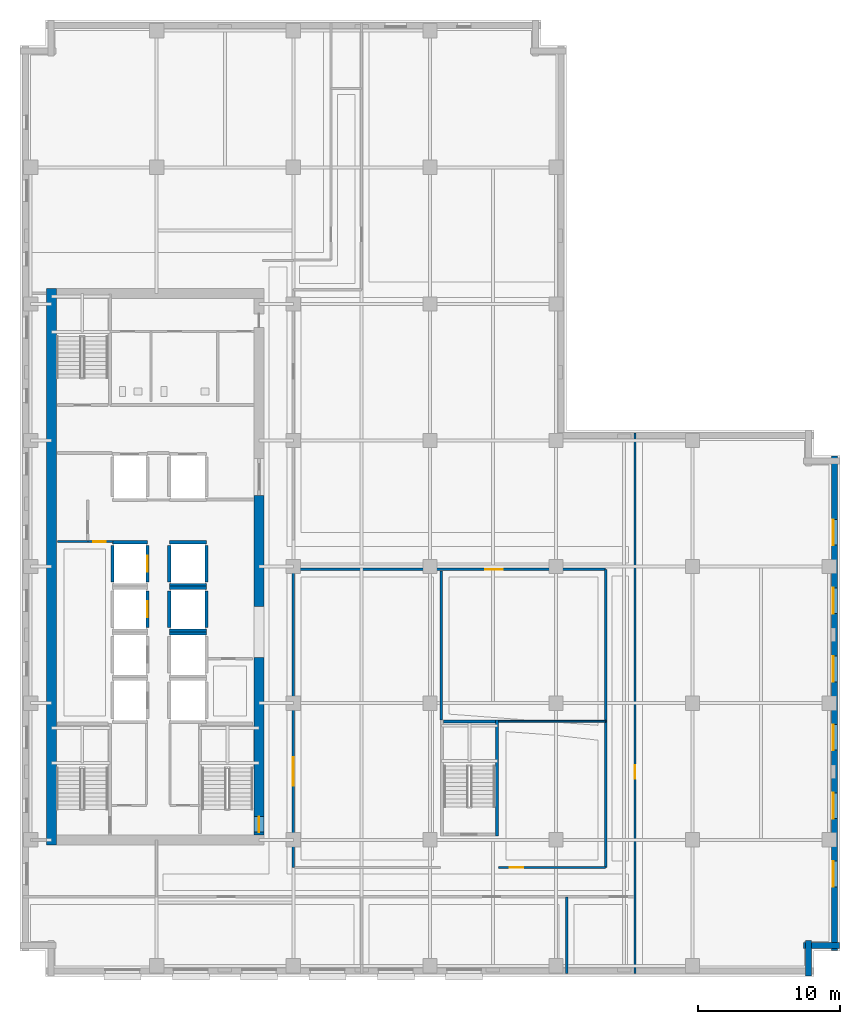
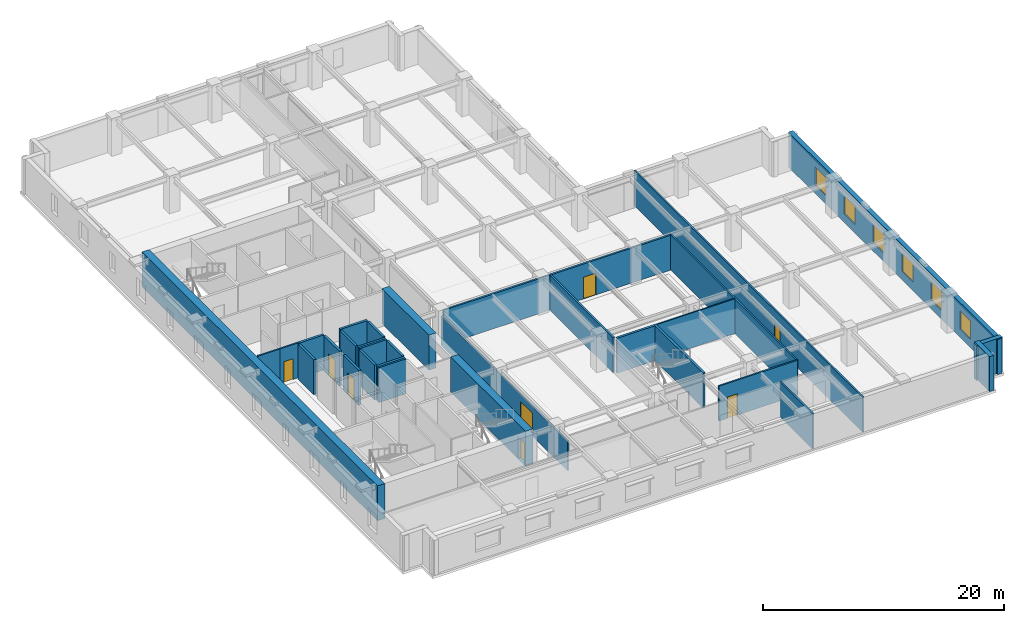
# One storey, part 5 of 12: 31 walls, 8 doors, 6 windows, 14 openings.
"""IFC4 building model written with IfcOpenShell, lengths in metres."""

from ifc_helpers import new_model, si_unit, direction, frame, frame_2d, origin, place, context, subcontext, project, spatial, rectangle, extrude, material, layer, layer_set, type_object, element, fill, save


model = new_model("IFC4")

# Units and contexts
model_context = context("Model", 3, precision=1e-05, world=origin(), true_north=direction((0.0, 1.0)))
body_context = subcontext(model_context, "Body", "Model", "MODEL_VIEW")
ifc_project = project(units=[si_unit("LENGTHUNIT", "METRE"), si_unit("AREAUNIT", "SQUARE_METRE"), si_unit("VOLUMEUNIT", "CUBIC_METRE"), si_unit("PLANEANGLEUNIT", "RADIAN"), si_unit("MASSUNIT", "GRAM", prefix="KILO")], contexts=[model_context])

# Site, building, storey
site_placement = place(None, origin())
site = spatial("IfcSite", under=ifc_project, at=site_placement, CompositionType="ELEMENT")
building_placement = place(site_placement, origin())
building = spatial("IfcBuilding", under=site, at=building_placement, Name="Norrvale University Quadrangle", CompositionType="ELEMENT")
storey_placement = place(building_placement, frame((0.0, 0.0, 135.60009765625)))
storey = spatial("IfcBuildingStorey", under=building, at=storey_placement, Name="L34", CompositionType="ELEMENT", Elevation=135.60009765625)

# Walls
ifc_material_1 = material(Name="Buff Norman Clay Brick Masonry", Category="masonry")
ifc_layer_1 = layer(ifc_material_1, 0.419921875, Name="Buff Norman Clay Brick Masonry")
ifc_layer_set_1 = layer_set([ifc_layer_1], Name="Buff Norman Clay Brick Masonry")
wall_type_1 = type_object("IfcWallType", Name="Wall Buff Brick 420", PredefinedType="SOLIDWALL", material=ifc_layer_set_1)
for number, where, z_axis, x_axis, name in (
    (1, (55.409912109375, 0.0400390625, 0.0), (0.0, 0.0, 1.0), (0.0, 1.0, 0.0), "Exterior Brick Facade Wall L34-02.1"),
    (2, (55.06005859375, 2.18994140625, 0.0), (0.0, 0.0, 1.0), (1.0, 0.0, 0.0), "Exterior Brick Facade Wall L34-03.1"),
):
    element("IfcWall", number, at=place(storey_placement, frame(where, z_axis=z_axis, x_axis=x_axis)), inside=storey, type_object=wall_type_1, Name=name, PredefinedType="SOLIDWALL", context=body_context, shape_type="SweptSolid", body=[
        extrude(rectangle(XDim=2.5, YDim=0.419921875, at=frame_2d((1.25, 0.0))), origin(), (0.0, 0.0, 1.0), 3.539794921875),
    ])

# Wall, openings, windows
wall_1_placement = place(storey_placement, frame((57.2099609375, 1.840087890625, 0.0), z_axis=(0.0, 0.0, 1.0), x_axis=(0.0, 1.0, 0.0)))
wall_1 = element("IfcWall", 3, at=wall_1_placement, inside=storey, type_object=wall_type_1, Name="Exterior Brick Facade Wall L34-04.1", PredefinedType="SOLIDWALL", context=body_context, shape_type="SweptSolid", body=[
    extrude(rectangle(XDim=34.719970703125, YDim=0.419921875, at=frame_2d((17.35986328125, 0.0))), origin(), (0.0, 0.0, 1.0), 3.539794921875),
])
opening_1_placement = place(wall_1_placement, frame((4.4599609375, 0.0, 0.85009765625)))
opening_1 = element("IfcOpeningElement", 4, at=opening_1_placement, cuts=wall_1, Name="Opening W01", PredefinedType="OPENING", context=body_context, shape_type="SweptSolid", body=[
    extrude(rectangle(XDim=1.800048828125, YDim=1.85009765625, at=frame_2d((0.89990234375, 0.925048828125))), frame((0.0, 0.221923828125, 0.0), z_axis=(0.0, -1.0, 0.0), x_axis=(1.0, 0.0, 0.0)), (0.0, 0.0, 1.0), 0.44384765625),
])
opening_2_placement = place(wall_1_placement, frame((9.260009765625, 0.0, 0.85009765625)))
opening_2 = element("IfcOpeningElement", 5, at=opening_2_placement, cuts=wall_1, Name="Opening W01", PredefinedType="OPENING", context=body_context, shape_type="SweptSolid", body=[
    extrude(rectangle(XDim=1.800048828125, YDim=1.85009765625, at=frame_2d((0.89990234375, 0.925048828125))), frame((0.0, 0.221923828125, 0.0), z_axis=(0.0, -1.0, 0.0), x_axis=(1.0, 0.0, 0.0)), (0.0, 0.0, 1.0), 0.44384765625),
])
opening_3_placement = place(wall_1_placement, frame((14.06005859375, 0.0, 0.85009765625)))
opening_3 = element("IfcOpeningElement", 6, at=opening_3_placement, cuts=wall_1, Name="Opening W01", PredefinedType="OPENING", context=body_context, shape_type="SweptSolid", body=[
    extrude(rectangle(XDim=1.800048828125, YDim=1.85009765625, at=frame_2d((0.89990234375, 0.925048828125))), frame((0.0, 0.221923828125, 0.0), z_axis=(0.0, -1.0, 0.0), x_axis=(1.0, 0.0, 0.0)), (0.0, 0.0, 1.0), 0.44384765625),
])
opening_4_placement = place(wall_1_placement, frame((18.860107421875, 0.0, 0.85009765625)))
opening_4 = element("IfcOpeningElement", 7, at=opening_4_placement, cuts=wall_1, Name="Opening W01", PredefinedType="OPENING", context=body_context, shape_type="SweptSolid", body=[
    extrude(rectangle(XDim=1.800048828125, YDim=1.85009765625, at=frame_2d((0.89990234375, 0.925048828125))), frame((0.0, 0.221923828125, 0.0), z_axis=(0.0, -1.0, 0.0), x_axis=(1.0, 0.0, 0.0)), (0.0, 0.0, 1.0), 0.44384765625),
])
opening_5_placement = place(wall_1_placement, frame((23.659912109375, 0.0, 0.85009765625)))
opening_5 = element("IfcOpeningElement", 8, at=opening_5_placement, cuts=wall_1, Name="Opening W01", PredefinedType="OPENING", context=body_context, shape_type="SweptSolid", body=[
    extrude(rectangle(XDim=1.800048828125, YDim=1.85009765625, at=frame_2d((0.89990234375, 0.925048828125))), frame((0.0, 0.221923828125, 0.0), z_axis=(0.0, -1.0, 0.0), x_axis=(1.0, 0.0, 0.0)), (0.0, 0.0, 1.0), 0.44384765625),
])
opening_6_placement = place(wall_1_placement, frame((28.4599609375, 0.0, 0.85009765625)))
opening_6 = element("IfcOpeningElement", 9, at=opening_6_placement, cuts=wall_1, Name="Opening W01", PredefinedType="OPENING", context=body_context, shape_type="SweptSolid", body=[
    extrude(rectangle(XDim=1.800048828125, YDim=1.85009765625, at=frame_2d((0.89990234375, 0.925048828125))), frame((0.0, 0.221923828125, 0.0), z_axis=(0.0, -1.0, 0.0), x_axis=(1.0, 0.0, 0.0)), (0.0, 0.0, 1.0), 0.44384765625),
])
ifc_material_2 = material(Name="Triple Low-E Argon Glazing", Category="glass")
window_type = type_object("IfcWindowType", Name="Window Academic 1800x2300", PartitioningType="DOUBLE_PANEL_VERTICAL", PredefinedType="WINDOW", material=ifc_material_2)
window_1_placement = place(opening_1_placement, origin())
window_1 = element("IfcWindow", 10, at=window_1_placement, inside=storey, type_object=window_type, Name="Window Academic 1800x2300 WIN-L34-E04-1-01", OverallHeight=1.85009765625, OverallWidth=1.800048828125, PartitioningType="DOUBLE_PANEL_VERTICAL", PredefinedType="WINDOW", context=body_context, shape_type="SweptSolid", body=[
    extrude(rectangle(XDim=1.800048828125, YDim=1.85009765625, at=frame_2d((0.89990234375, 0.925048828125))), frame((0.0, 0.110107421875, 0.0), z_axis=(0.0, -1.0, 0.0), x_axis=(1.0, 0.0, 0.0)), (0.0, 0.0, 1.0), 0.06005859375),
])
fill(opening_1, window_1)
window_2_placement = place(opening_2_placement, origin())
window_2 = element("IfcWindow", 11, at=window_2_placement, inside=storey, type_object=window_type, Name="Window Academic 1800x2300 WIN-L34-E04-1-02", OverallHeight=1.85009765625, OverallWidth=1.800048828125, PartitioningType="DOUBLE_PANEL_VERTICAL", PredefinedType="WINDOW", context=body_context, shape_type="SweptSolid", body=[
    extrude(rectangle(XDim=1.800048828125, YDim=1.85009765625, at=frame_2d((0.89990234375, 0.925048828125))), frame((0.0, 0.110107421875, 0.0), z_axis=(0.0, -1.0, 0.0), x_axis=(1.0, 0.0, 0.0)), (0.0, 0.0, 1.0), 0.06005859375),
])
fill(opening_2, window_2)
window_3_placement = place(opening_3_placement, origin())
window_3 = element("IfcWindow", 12, at=window_3_placement, inside=storey, type_object=window_type, Name="Window Academic 1800x2300 WIN-L34-E04-1-03", OverallHeight=1.85009765625, OverallWidth=1.800048828125, PartitioningType="DOUBLE_PANEL_VERTICAL", PredefinedType="WINDOW", context=body_context, shape_type="SweptSolid", body=[
    extrude(rectangle(XDim=1.800048828125, YDim=1.85009765625, at=frame_2d((0.89990234375, 0.925048828125))), frame((0.0, 0.110107421875, 0.0), z_axis=(0.0, -1.0, 0.0), x_axis=(1.0, 0.0, 0.0)), (0.0, 0.0, 1.0), 0.06005859375),
])
fill(opening_3, window_3)
window_4_placement = place(opening_4_placement, origin())
window_4 = element("IfcWindow", 13, at=window_4_placement, inside=storey, type_object=window_type, Name="Window Academic 1800x2300 WIN-L34-E04-1-04", OverallHeight=1.85009765625, OverallWidth=1.800048828125, PartitioningType="DOUBLE_PANEL_VERTICAL", PredefinedType="WINDOW", context=body_context, shape_type="SweptSolid", body=[
    extrude(rectangle(XDim=1.800048828125, YDim=1.85009765625, at=frame_2d((0.89990234375, 0.925048828125))), frame((0.0, 0.110107421875, 0.0), z_axis=(0.0, -1.0, 0.0), x_axis=(1.0, 0.0, 0.0)), (0.0, 0.0, 1.0), 0.06005859375),
])
fill(opening_4, window_4)
window_5_placement = place(opening_5_placement, origin())
window_5 = element("IfcWindow", 14, at=window_5_placement, inside=storey, type_object=window_type, Name="Window Academic 1800x2300 WIN-L34-E04-1-05", OverallHeight=1.85009765625, OverallWidth=1.800048828125, PartitioningType="DOUBLE_PANEL_VERTICAL", PredefinedType="WINDOW", context=body_context, shape_type="SweptSolid", body=[
    extrude(rectangle(XDim=1.800048828125, YDim=1.85009765625, at=frame_2d((0.89990234375, 0.925048828125))), frame((0.0, 0.110107421875, 0.0), z_axis=(0.0, -1.0, 0.0), x_axis=(1.0, 0.0, 0.0)), (0.0, 0.0, 1.0), 0.06005859375),
])
fill(opening_5, window_5)
window_6_placement = place(opening_6_placement, origin())
window_6 = element("IfcWindow", 15, at=window_6_placement, inside=storey, type_object=window_type, Name="Window Academic 1800x2300 WIN-L34-E04-1-06", OverallHeight=1.85009765625, OverallWidth=1.800048828125, PartitioningType="DOUBLE_PANEL_VERTICAL", PredefinedType="WINDOW", context=body_context, shape_type="SweptSolid", body=[
    extrude(rectangle(XDim=1.800048828125, YDim=1.85009765625, at=frame_2d((0.89990234375, 0.925048828125))), frame((0.0, 0.110107421875, 0.0), z_axis=(0.0, -1.0, 0.0), x_axis=(1.0, 0.0, 0.0)), (0.0, 0.0, 1.0), 0.06005859375),
])
fill(opening_6, window_6)

# Wall
ifc_material_3 = material(Name="Concrete C60/75", Category="concrete")
ifc_layer_2 = layer(ifc_material_3, 0.699951171875, Name="Concrete C60/75")
ifc_layer_set_2 = layer_set([ifc_layer_2], Name="Concrete C60/75")
wall_type_2 = type_object("IfcWallType", Name="Wall Core 700", PredefinedType="SHEAR", material=ifc_layer_set_2)
wall_2_placement = place(storey_placement, frame((2.199951171875, 9.25, 0.0), z_axis=(0.0, 0.0, 1.0), x_axis=(0.0, 1.0, 0.0)))
element("IfcWall", 16, at=wall_2_placement, inside=storey, type_object=wall_type_2, Name="Tower Core Shear Wall L34-W", PredefinedType="SHEAR", context=body_context, shape_type="SweptSolid", body=[
    extrude(rectangle(XDim=39.10009765625, YDim=0.699951171875, at=frame_2d((19.550048828125, 0.0))), origin(), (0.0, 0.0, 1.0), 3.539794921875),
])

# Wall, opening, door
wall_3_placement = place(storey_placement, frame((16.800048828125, 9.949951171875, 0.0), z_axis=(0.0, 0.0, 1.0), x_axis=(0.0, 1.0, 0.0)))
wall_3 = element("IfcWall", 17, at=wall_3_placement, inside=storey, type_object=wall_type_2, Name="Tower Core Shear Wall L34-E1", PredefinedType="SHEAR", context=body_context, shape_type="SweptSolid", body=[
    extrude(rectangle(XDim=12.449951171875, YDim=0.699951171875, at=frame_2d((6.22509765625, 0.0))), origin(), (0.0, 0.0, 1.0), 3.539794921875),
])
opening_7_placement = place(wall_3_placement, frame((0.18994140625, 0.0, 0.0)))
opening_7 = element("IfcOpeningElement", 18, at=opening_7_placement, cuts=wall_3, Name="Opening D02", PredefinedType="OPENING", context=body_context, shape_type="SweptSolid", body=[
    extrude(rectangle(XDim=1.10009765625, YDim=2.199951171875, at=frame_2d((0.550048828125, 1.10009765625))), frame((0.0, 0.362060546875, 0.0), z_axis=(0.0, -1.0, 0.0), x_axis=(1.0, 0.0, 0.0)), (0.0, 0.0, 1.0), 0.723876953125),
])
ifc_material_4 = material(Name="Hollow Steel 350W Fire Door", Category="steel")
door_type_1 = type_object("IfcDoorType", Name="Door Stair Exit 1100x2200", OperationType="NOTDEFINED", PredefinedType="DOOR", material=ifc_material_4)
door_1_placement = place(opening_7_placement, origin())
door_1 = element("IfcDoor", 19, at=door_1_placement, inside=storey, type_object=door_type_1, Name="Door Stair Exit 1100x2200 DR-L34-ST03", OperationType="SINGLE_SWING_LEFT", OverallHeight=2.199951171875, OverallWidth=1.10009765625, PredefinedType="DOOR", context=body_context, shape_type="SweptSolid", body=[
    extrude(rectangle(XDim=1.10009765625, YDim=2.199951171875, at=frame_2d((0.550048828125, 1.10009765625))), frame((0.0, 0.02490234375, 0.0), z_axis=(0.0, -1.0, 0.0), x_axis=(1.0, 0.0, 0.0)), (0.0, 0.0, 1.0), 0.050048828125),
])
fill(opening_7, door_1)

# Walls
wall_4_placement = place(storey_placement, frame((16.800048828125, 26.0, 0.0), z_axis=(0.0, 0.0, 1.0), x_axis=(0.0, 1.0, 0.0)))
element("IfcWall", 20, at=wall_4_placement, inside=storey, type_object=wall_type_2, Name="Tower Core Shear Wall L34-E2", PredefinedType="SHEAR", context=body_context, shape_type="SweptSolid", body=[
    extrude(rectangle(XDim=7.800048828125, YDim=0.699951171875, at=frame_2d((3.89990234375, 0.0))), origin(), (0.0, 0.0, 1.0), 3.539794921875),
])
ifc_material_5 = material(Name="Standard Academic Gypsum Partition")
ifc_layer_3 = layer(ifc_material_5, 0.125, Name="Standard Academic Gypsum Partition")
ifc_layer_set_3 = layer_set([ifc_layer_3], Name="Standard Academic Gypsum Partition")
wall_type_3 = type_object("IfcWallType", Name="Wall Gypsum Academic 125", PredefinedType="PARTITIONING", material=ifc_layer_set_3)
wall_5_placement = place(storey_placement, frame((33.6201171875, 17.93994140625, 0.0), z_axis=(0.0, 0.0, 1.0), x_axis=(1.0, 0.0, 0.0)))
element("IfcWall", 21, at=wall_5_placement, inside=storey, type_object=wall_type_3, Name="Interior Partition WL-L34-ISLH", PredefinedType="PARTITIONING", context=body_context, shape_type="SweptSolid", body=[
    extrude(rectangle(XDim=7.52978515625, YDim=0.125, at=frame_2d((3.764892578125, 0.0))), origin(), (0.0, 0.0, 1.0), 3.539794921875),
])

# Wall, opening, door
ifc_material_6 = material(Name="Fire-Rated Gypsum Stud Partition")
ifc_layer_4 = layer(ifc_material_6, 0.14990234375, Name="Fire-Rated Gypsum Stud Partition")
ifc_layer_set_4 = layer_set([ifc_layer_4], Name="Fire-Rated Gypsum Stud Partition")
wall_type_4 = type_object("IfcWallType", Name="Wall Gypsum Corridor 150", PredefinedType="PARTITIONING", material=ifc_layer_set_4)
wall_6_placement = place(storey_placement, frame((4.760009765625, 30.550048828125, 0.0), z_axis=(0.0, 0.0, 1.0), x_axis=(1.0, 0.0, 0.0)))
wall_6 = element("IfcWall", 22, at=wall_6_placement, inside=storey, type_object=wall_type_4, Name="Interior Partition WL-L34-WST-N", PredefinedType="PARTITIONING", context=body_context, shape_type="SweptSolid", body=[
    extrude(rectangle(XDim=1.760009765625, YDim=0.14990234375, at=frame_2d((0.8798828125, 0.0))), origin(), (0.0, 0.0, 1.0), 3.539794921875),
])
opening_8_placement = place(wall_6_placement, frame((0.39990234375, 0.0, 0.0)))
opening_8 = element("IfcOpeningElement", 23, at=opening_8_placement, cuts=wall_6, Name="Opening D10", PredefinedType="OPENING", context=body_context, shape_type="SweptSolid", body=[
    extrude(rectangle(XDim=0.85009765625, YDim=2.10009765625, at=frame_2d((0.425048828125, 1.050048828125))), frame((0.0, 0.0869140625, 0.0), z_axis=(0.0, -1.0, 0.0), x_axis=(1.0, 0.0, 0.0)), (0.0, 0.0, 1.0), 0.173828125),
])
ifc_material_7 = material(Name="Hollow Steel 350W Riser Fire Door", Category="steel")
door_type_2 = type_object("IfcDoorType", Name="Door Riser 850x2100", OperationType="NOTDEFINED", PredefinedType="DOOR", material=ifc_material_7)
door_2_placement = place(opening_8_placement, origin())
door_2 = element("IfcDoor", 24, at=door_2_placement, inside=storey, type_object=door_type_2, Name="Door Riser 850x2100 DR-L34-WST", OperationType="SINGLE_SWING_RIGHT", OverallHeight=2.10009765625, OverallWidth=0.85009765625, PredefinedType="DOOR", context=body_context, shape_type="SweptSolid", body=[
    extrude(rectangle(XDim=0.85009765625, YDim=2.10009765625, at=frame_2d((0.425048828125, 1.050048828125))), frame((0.0, 0.02490234375, 0.0), z_axis=(0.0, -1.0, 0.0), x_axis=(1.0, 0.0, 0.0)), (0.0, 0.0, 1.0), 0.050048828125),
])
fill(opening_8, door_2)

# Wall
wall_7_placement = place(storey_placement, frame((2.64990234375, 30.550048828125, 0.0), z_axis=(0.0, 0.0, 1.0), x_axis=(1.0, 0.0, 0.0)))
element("IfcWall", 25, at=wall_7_placement, inside=storey, type_object=wall_type_4, Name="Interior Partition WL-L34-WST-N2", PredefinedType="PARTITIONING", context=body_context, shape_type="SweptSolid", body=[
    extrude(rectangle(XDim=2.110107421875, YDim=0.14990234375, at=frame_2d((1.05517578125, 0.0))), origin(), (0.0, 0.0, 1.0), 3.539794921875),
])

# Wall, opening, door
wall_8_placement = place(storey_placement, frame((43.199951171875, 0.219970703125, 0.0), z_axis=(0.0, 0.0, 1.0), x_axis=(0.0, 1.0, 0.0)))
wall_8 = element("IfcWall", 26, at=wall_8_placement, inside=storey, type_object=wall_type_4, Name="Interior Partition WL-L34-ECW", PredefinedType="PARTITIONING", context=body_context, shape_type="SweptSolid", body=[
    extrude(rectangle(XDim=37.9599609375, YDim=0.14990234375, at=frame_2d((18.97998046875, 0.0))), origin(), (0.0, 0.0, 1.0), 3.539794921875),
])
opening_9_placement = place(wall_8_placement, frame((13.679931640625, 0.0, 0.0)))
opening_9 = element("IfcOpeningElement", 27, at=opening_9_placement, cuts=wall_8, Name="Opening D07", PredefinedType="OPENING", context=body_context, shape_type="SweptSolid", body=[
    extrude(rectangle(XDim=0.949951171875, YDim=2.14990234375, at=frame_2d((0.47509765625, 1.074951171875))), frame((0.0, 0.0869140625, 0.0), z_axis=(0.0, -1.0, 0.0), x_axis=(1.0, 0.0, 0.0)), (0.0, 0.0, 1.0), 0.173828125),
])
ifc_material_8 = material(Name="Solid-Core Maple Door", Category="wood")
door_type_3 = type_object("IfcDoorType", Name="Door Office 950x2150", OperationType="NOTDEFINED", PredefinedType="DOOR", material=ifc_material_8)
door_3_placement = place(opening_9_placement, origin())
door_3 = element("IfcDoor", 28, at=door_3_placement, inside=storey, type_object=door_type_3, Name="Door Office 950x2150 DR-L34-E01", OperationType="SINGLE_SWING_RIGHT", OverallHeight=2.14990234375, OverallWidth=0.949951171875, PredefinedType="DOOR", context=body_context, shape_type="SweptSolid", body=[
    extrude(rectangle(XDim=0.949951171875, YDim=2.14990234375, at=frame_2d((0.47509765625, 1.074951171875))), frame((0.0, 0.02490234375, 0.0), z_axis=(0.0, -1.0, 0.0), x_axis=(1.0, 0.0, 0.0)), (0.0, 0.0, 1.0), 0.050048828125),
])
fill(opening_9, door_3)

wall_9_placement = place(storey_placement, frame((19.199951171875, 7.64990234375, 0.0), z_axis=(0.0, 0.0, 1.0), x_axis=(0.0, 1.0, 0.0)))
wall_9 = element("IfcWall", 29, at=wall_9_placement, inside=storey, type_object=wall_type_4, Name="Interior Partition WL-L34-ISLW", PredefinedType="PARTITIONING", context=body_context, shape_type="SweptSolid", body=[
    extrude(rectangle(XDim=20.9501953125, YDim=0.14990234375, at=frame_2d((10.47509765625, 0.0))), origin(), (0.0, 0.0, 1.0), 2.995849609375),
])
opening_10_placement = place(wall_9_placement, frame((5.75, 0.0, 0.0)))
opening_10 = element("IfcOpeningElement", 30, at=opening_10_placement, cuts=wall_9, Name="Opening D06", PredefinedType="OPENING", context=body_context, shape_type="SweptSolid", body=[
    extrude(rectangle(XDim=2.0, YDim=2.300048828125, at=frame_2d((1.0, 1.14990234375))), frame((0.0, 0.0869140625, 0.0), z_axis=(0.0, -1.0, 0.0), x_axis=(1.0, 0.0, 0.0)), (0.0, 0.0, 1.0), 0.173828125),
])
ifc_material_9 = material(Name="Acoustic Oak Double Door", Category="wood")
door_type_4 = type_object("IfcDoorType", Name="Door Lecture Dbl 2000x2300", OperationType="DOUBLE_SWING_LEFT", PredefinedType="DOOR", material=ifc_material_9)
door_4_placement = place(opening_10_placement, origin())
door_4 = element("IfcDoor", 31, at=door_4_placement, inside=storey, type_object=door_type_4, Name="Door Lecture Dbl 2000x2300 DR-L34-IW1", OperationType="DOUBLE_SWING_LEFT", OverallHeight=2.300048828125, OverallWidth=2.0, PredefinedType="DOOR", context=body_context, shape_type="SweptSolid", body=[
    extrude(rectangle(XDim=2.0, YDim=2.300048828125, at=frame_2d((1.0, 1.14990234375))), frame((0.0, 0.02490234375, 0.0), z_axis=(0.0, -1.0, 0.0), x_axis=(1.0, 0.0, 0.0)), (0.0, 0.0, 1.0), 0.050048828125),
])
fill(opening_10, door_4)

wall_10_placement = place(storey_placement, frame((33.6201171875, 7.64990234375, 0.0), z_axis=(0.0, 0.0, 1.0), x_axis=(1.0, 0.0, 0.0)))
wall_10 = element("IfcWall", 32, at=wall_10_placement, inside=storey, type_object=wall_type_4, Name="Interior Partition WL-L34-ISLS2", PredefinedType="PARTITIONING", context=body_context, shape_type="SweptSolid", body=[
    extrude(rectangle(XDim=7.52978515625, YDim=0.14990234375, at=frame_2d((3.764892578125, 0.0))), origin(), (0.0, 0.0, 1.0), 3.539794921875),
])
opening_11_placement = place(wall_10_placement, frame((0.800048828125, 0.0, 0.0)))
opening_11 = element("IfcOpeningElement", 33, at=opening_11_placement, cuts=wall_10, Name="Opening D07", PredefinedType="OPENING", context=body_context, shape_type="SweptSolid", body=[
    extrude(rectangle(XDim=0.949951171875, YDim=2.14990234375, at=frame_2d((0.47509765625, 1.074951171875))), frame((0.0, 0.0869140625, 0.0), z_axis=(0.0, -1.0, 0.0), x_axis=(1.0, 0.0, 0.0)), (0.0, 0.0, 1.0), 0.173828125),
])
door_5_placement = place(opening_11_placement, origin())
door_5 = element("IfcDoor", 34, at=door_5_placement, inside=storey, type_object=door_type_3, Name="Door Office 950x2150 DR-L34-ISE", OperationType="SINGLE_SWING_LEFT", OverallHeight=2.14990234375, OverallWidth=0.949951171875, PredefinedType="DOOR", context=body_context, shape_type="SweptSolid", body=[
    extrude(rectangle(XDim=0.949951171875, YDim=2.14990234375, at=frame_2d((0.47509765625, 1.074951171875))), frame((0.0, 0.02490234375, 0.0), z_axis=(0.0, -1.0, 0.0), x_axis=(1.0, 0.0, 0.0)), (0.0, 0.0, 1.0), 0.050048828125),
])
fill(opening_11, door_5)

# Walls
wall_11_placement = place(storey_placement, frame((41.14990234375, 7.64990234375, 0.0), z_axis=(0.0, 0.0, 1.0), x_axis=(0.0, 1.0, 0.0)))
element("IfcWall", 35, at=wall_11_placement, inside=storey, type_object=wall_type_4, Name="Interior Partition WL-L34-ISLE", PredefinedType="PARTITIONING", context=body_context, shape_type="SweptSolid", body=[
    extrude(rectangle(XDim=20.9501953125, YDim=0.14990234375, at=frame_2d((10.47509765625, 0.0))), origin(), (0.0, 0.0, 1.0), 3.539794921875),
])
ifc_material_10 = material(Name="Acoustic Double-Stud Gypsum Partition")
ifc_layer_5 = layer(ifc_material_10, 0.179931640625, Name="Acoustic Double-Stud Gypsum Partition")
ifc_layer_set_5 = layer_set([ifc_layer_5], Name="Acoustic Double-Stud Gypsum Partition")
wall_type_5 = type_object("IfcWallType", Name="Wall Gypsum Lecture 180", PredefinedType="PARTITIONING", material=ifc_layer_set_5)
wall_12_placement = place(storey_placement, frame((29.580078125, 18.02490234375, 0.0), z_axis=(0.0, 0.0, 1.0), x_axis=(0.0, 1.0, 0.0)))
element("IfcWall", 36, at=wall_12_placement, inside=storey, type_object=wall_type_5, Name="Interior Partition WL-L34-ISLD", PredefinedType="PARTITIONING", context=body_context, shape_type="SweptSolid", body=[
    extrude(rectangle(XDim=10.47998046875, YDim=0.179931640625, at=frame_2d((5.239990234375, 0.0))), origin(), (0.0, 0.0, 1.0), 3.539794921875),
])

# Wall, opening, door
wall_13_placement = place(storey_placement, frame((19.280029296875, 28.60009765625, 0.0), z_axis=(0.0, 0.0, 1.0), x_axis=(1.0, 0.0, 0.0)))
wall_13 = element("IfcWall", 37, at=wall_13_placement, inside=storey, type_object=wall_type_5, Name="Interior Partition WL-L34-ISLN", PredefinedType="PARTITIONING", context=body_context, shape_type="SweptSolid", body=[
    extrude(rectangle(XDim=21.869873046875, YDim=0.179931640625, at=frame_2d((10.93505859375, 0.0))), origin(), (0.0, 0.0, 1.0), 3.539794921875),
])
opening_12_placement = place(wall_13_placement, frame((13.419921875, 0.0, 0.0)))
opening_12 = element("IfcOpeningElement", 38, at=opening_12_placement, cuts=wall_13, Name="Opening D05", PredefinedType="OPENING", context=body_context, shape_type="SweptSolid", body=[
    extrude(rectangle(XDim=1.199951171875, YDim=2.199951171875, at=frame_2d((0.60009765625, 1.10009765625))), frame((0.0, 0.10205078125, 0.0), z_axis=(0.0, -1.0, 0.0), x_axis=(1.0, 0.0, 0.0)), (0.0, 0.0, 1.0), 0.203857421875),
])
ifc_material_11 = material(Name="Acoustic Oak Classroom Door", Category="wood")
door_type_5 = type_object("IfcDoorType", Name="Door Classroom 1200x2200", OperationType="NOTDEFINED", PredefinedType="DOOR", material=ifc_material_11)
door_6_placement = place(opening_12_placement, origin())
door_6 = element("IfcDoor", 39, at=door_6_placement, inside=storey, type_object=door_type_5, Name="Door Classroom 1200x2200 DR-L34-ILH", OperationType="SINGLE_SWING_RIGHT", OverallHeight=2.199951171875, OverallWidth=1.199951171875, PredefinedType="DOOR", context=body_context, shape_type="SweptSolid", body=[
    extrude(rectangle(XDim=1.199951171875, YDim=2.199951171875, at=frame_2d((0.60009765625, 1.10009765625))), frame((0.0, 0.02490234375, 0.0), z_axis=(0.0, -1.0, 0.0), x_axis=(1.0, 0.0, 0.0)), (0.0, 0.0, 1.0), 0.050048828125),
])
fill(opening_12, door_6)

# Walls
ifc_material_12 = material(Name="Sanitary Chase Gypsum Partition")
ifc_layer_6 = layer(ifc_material_12, 0.1650390625, Name="Sanitary Chase Gypsum Partition")
ifc_layer_set_6 = layer_set([ifc_layer_6], Name="Sanitary Chase Gypsum Partition")
wall_type_6 = type_object("IfcWallType", Name="Wall Gypsum Sanitary 165", PredefinedType="PLUMBINGWALL", material=ifc_layer_set_6)
wall_14_placement = place(storey_placement, frame((38.39990234375, 0.219970703125, 0.0), z_axis=(0.0, 0.0, 1.0), x_axis=(0.0, 1.0, 0.0)))
element("IfcWall", 40, at=wall_14_placement, inside=storey, type_object=wall_type_6, Name="Interior Partition WL-L34-SP02", PredefinedType="PLUMBINGWALL", context=body_context, shape_type="SweptSolid", body=[
    extrude(rectangle(XDim=5.380126953125, YDim=0.1650390625, at=frame_2d((2.68994140625, 0.0))), origin(), (0.0, 0.0, 1.0), 3.539794921875),
])
ifc_material_13 = material(Name="Concrete Blockwork 20 MPa Fire Shaft", Category="masonry")
ifc_layer_7 = layer(ifc_material_13, 0.219970703125, Name="Concrete Blockwork 20 MPa Fire Shaft")
ifc_layer_set_7 = layer_set([ifc_layer_7], Name="Concrete Blockwork 20 MPa Fire Shaft")
wall_type_7 = type_object("IfcWallType", Name="Wall Shaft 220", PredefinedType="SOLIDWALL", material=ifc_layer_set_7)
wall_15_placement = place(storey_placement, frame((33.510009765625, 9.8798828125, 0.0), z_axis=(0.0, 0.0, 1.0), x_axis=(0.0, 1.0, 0.0)))
element("IfcWall", 41, at=wall_15_placement, inside=storey, type_object=wall_type_7, Name="Stair ST-04 East Shaft Wall L34", PredefinedType="SOLIDWALL", context=body_context, shape_type="SweptSolid", body=[
    extrude(rectangle(XDim=8.14013671875, YDim=0.219970703125, at=frame_2d((4.070068359375, 0.0))), origin(), (0.0, 0.0, 1.0), 3.539794921875),
])
wall_16_placement = place(storey_placement, frame((29.75, 17.909912109375, 0.0), z_axis=(0.0, 0.0, 1.0), x_axis=(1.0, 0.0, 0.0)))
element("IfcWall", 42, at=wall_16_placement, inside=storey, type_object=wall_type_7, Name="Stair ST-04 North Shaft Wall L34", PredefinedType="SOLIDWALL", context=body_context, shape_type="SweptSolid", body=[
    extrude(rectangle(XDim=3.64990234375, YDim=0.219970703125, at=frame_2d((1.824951171875, 0.0))), origin(), (0.0, 0.0, 1.0), 3.539794921875),
])

# Wall, opening, door
wall_17_placement = place(storey_placement, frame((8.9599609375, 24.510009765625, 0.0), z_axis=(0.0, 0.0, 1.0), x_axis=(0.0, 1.0, 0.0)))
wall_17 = element("IfcWall", 43, at=wall_17_placement, inside=storey, type_object=wall_type_7, Name="Hoistway PL-03 East Wall L34", PredefinedType="SOLIDWALL", context=body_context, shape_type="SweptSolid", body=[
    extrude(rectangle(XDim=2.580078125, YDim=0.219970703125, at=frame_2d((1.2900390625, 0.0))), origin(), (0.0, 0.0, 1.0), 3.539794921875),
])
opening_13_placement = place(wall_17_placement, frame((0.739990234375, 0.0, 0.0)))
opening_13 = element("IfcOpeningElement", 44, at=opening_13_placement, cuts=wall_17, Name="Opening LD1", PredefinedType="OPENING", context=body_context, shape_type="SweptSolid", body=[
    extrude(rectangle(XDim=1.10009765625, YDim=2.199951171875, at=frame_2d((0.550048828125, 1.10009765625))), frame((0.0, 0.1220703125, 0.0), z_axis=(0.0, -1.0, 0.0), x_axis=(1.0, 0.0, 0.0)), (0.0, 0.0, 1.0), 0.243896484375),
])
ifc_material_14 = material(Name="Stainless Steel 316L Lift Landing Door", Category="steel")
door_type_6 = type_object("IfcDoorType", Name="Door Lift Landing 1100x2200", OperationType="DOUBLE_DOOR_SLIDING", PredefinedType="DOOR", material=ifc_material_14)
door_7_placement = place(opening_13_placement, origin())
door_7 = element("IfcDoor", 45, at=door_7_placement, inside=storey, type_object=door_type_6, Name="Elevator Landing Door DR-L34-PL-03", OperationType="DOUBLE_DOOR_SLIDING", OverallHeight=2.199951171875, OverallWidth=1.10009765625, PredefinedType="DOOR", context=body_context, shape_type="SweptSolid", body=[
    extrude(rectangle(XDim=1.10009765625, YDim=2.199951171875, at=frame_2d((0.550048828125, 1.10009765625))), frame((0.0, 0.02490234375, 0.0), z_axis=(0.0, -1.0, 0.0), x_axis=(1.0, 0.0, 0.0)), (0.0, 0.0, 1.0), 0.050048828125),
])
fill(opening_13, door_7)

# Wall
wall_18_placement = place(storey_placement, frame((6.489990234375, 27.7099609375, 0.0), z_axis=(0.0, 0.0, 1.0), x_axis=(0.0, 1.0, 0.0)))
element("IfcWall", 46, at=wall_18_placement, inside=storey, type_object=wall_type_7, Name="Hoistway PL-04 West Wall L34", PredefinedType="SOLIDWALL", context=body_context, shape_type="SweptSolid", body=[
    extrude(rectangle(XDim=2.580078125, YDim=0.219970703125, at=frame_2d((1.2900390625, 0.0))), origin(), (0.0, 0.0, 1.0), 3.539794921875),
])

# Wall, opening, door
wall_19_placement = place(storey_placement, frame((8.9599609375, 27.7099609375, 0.0), z_axis=(0.0, 0.0, 1.0), x_axis=(0.0, 1.0, 0.0)))
wall_19 = element("IfcWall", 47, at=wall_19_placement, inside=storey, type_object=wall_type_7, Name="Hoistway PL-04 East Wall L34", PredefinedType="SOLIDWALL", context=body_context, shape_type="SweptSolid", body=[
    extrude(rectangle(XDim=2.580078125, YDim=0.219970703125, at=frame_2d((1.2900390625, 0.0))), origin(), (0.0, 0.0, 1.0), 3.539794921875),
])
opening_14_placement = place(wall_19_placement, frame((0.739990234375, 0.0, 0.0)))
opening_14 = element("IfcOpeningElement", 48, at=opening_14_placement, cuts=wall_19, Name="Opening LD1", PredefinedType="OPENING", context=body_context, shape_type="SweptSolid", body=[
    extrude(rectangle(XDim=1.10009765625, YDim=2.199951171875, at=frame_2d((0.550048828125, 1.10009765625))), frame((0.0, 0.1220703125, 0.0), z_axis=(0.0, -1.0, 0.0), x_axis=(1.0, 0.0, 0.0)), (0.0, 0.0, 1.0), 0.243896484375),
])
door_8_placement = place(opening_14_placement, origin())
door_8 = element("IfcDoor", 49, at=door_8_placement, inside=storey, type_object=door_type_6, Name="Elevator Landing Door DR-L34-PL-04", OperationType="DOUBLE_DOOR_SLIDING", OverallHeight=2.199951171875, OverallWidth=1.10009765625, PredefinedType="DOOR", context=body_context, shape_type="SweptSolid", body=[
    extrude(rectangle(XDim=1.10009765625, YDim=2.199951171875, at=frame_2d((0.550048828125, 1.10009765625))), frame((0.0, 0.02490234375, 0.0), z_axis=(0.0, -1.0, 0.0), x_axis=(1.0, 0.0, 0.0)), (0.0, 0.0, 1.0), 0.050048828125),
])
fill(opening_14, door_8)

# Walls
wall_20_placement = place(storey_placement, frame((6.489990234375, 30.510009765625, 0.0), z_axis=(0.0, 0.0, 1.0), x_axis=(1.0, 0.0, 0.0)))
element("IfcWall", 50, at=wall_20_placement, inside=storey, type_object=wall_type_7, Name="Hoistway PL-04 North Wall L34", PredefinedType="SOLIDWALL", context=body_context, shape_type="SweptSolid", body=[
    extrude(rectangle(XDim=2.469970703125, YDim=0.219970703125, at=frame_2d((1.23486328125, 0.0))), origin(), (0.0, 0.0, 1.0), 3.539794921875),
])
wall_21_placement = place(storey_placement, frame((10.489990234375, 24.110107421875, 0.0), z_axis=(0.0, 0.0, 1.0), x_axis=(1.0, 0.0, 0.0)))
element("IfcWall", 51, at=wall_21_placement, inside=storey, type_object=wall_type_7, Name="Hoistway PL-06 North Wall L34", PredefinedType="SOLIDWALL", context=body_context, shape_type="SweptSolid", body=[
    extrude(rectangle(XDim=2.6201171875, YDim=0.219970703125, at=frame_2d((1.31005859375, 0.0))), origin(), (0.0, 0.0, 1.0), 3.539794921875),
])
for number, where, z_axis, x_axis, name in (
    (52, (10.489990234375, 24.510009765625, 0.0), (0.0, 0.0, 1.0), (0.0, 1.0, 0.0), "Hoistway PL-07 West Wall L34"),
    (53, (13.110107421875, 24.510009765625, 0.0), (0.0, 0.0, 1.0), (0.0, 1.0, 0.0), "Hoistway PL-07 East Wall L34"),
):
    element("IfcWall", number, at=place(storey_placement, frame(where, z_axis=z_axis, x_axis=x_axis)), inside=storey, type_object=wall_type_7, Name=name, PredefinedType="SOLIDWALL", context=body_context, shape_type="SweptSolid", body=[
        extrude(rectangle(XDim=2.580078125, YDim=0.219970703125, at=frame_2d((1.2900390625, 0.0))), origin(), (0.0, 0.0, 1.0), 3.539794921875),
    ])
for number, where, z_axis, x_axis, name in (
    (54, (10.489990234375, 24.2900390625, 0.0), (0.0, 0.0, 1.0), (1.0, 0.0, 0.0), "Hoistway PL-07 South Wall L34"),
    (55, (10.489990234375, 27.31005859375, 0.0), (0.0, 0.0, 1.0), (1.0, 0.0, 0.0), "Hoistway PL-07 North Wall L34"),
):
    element("IfcWall", number, at=place(storey_placement, frame(where, z_axis=z_axis, x_axis=x_axis)), inside=storey, type_object=wall_type_7, Name=name, PredefinedType="SOLIDWALL", context=body_context, shape_type="SweptSolid", body=[
        extrude(rectangle(XDim=2.6201171875, YDim=0.219970703125, at=frame_2d((1.31005859375, 0.0))), origin(), (0.0, 0.0, 1.0), 3.539794921875),
    ])
for number, where, z_axis, x_axis, name in (
    (56, (10.489990234375, 27.7099609375, 0.0), (0.0, 0.0, 1.0), (0.0, 1.0, 0.0), "Hoistway PL-08 West Wall L34"),
    (57, (13.110107421875, 27.7099609375, 0.0), (0.0, 0.0, 1.0), (0.0, 1.0, 0.0), "Hoistway PL-08 East Wall L34"),
):
    element("IfcWall", number, at=place(storey_placement, frame(where, z_axis=z_axis, x_axis=x_axis)), inside=storey, type_object=wall_type_7, Name=name, PredefinedType="SOLIDWALL", context=body_context, shape_type="SweptSolid", body=[
        extrude(rectangle(XDim=2.580078125, YDim=0.219970703125, at=frame_2d((1.2900390625, 0.0))), origin(), (0.0, 0.0, 1.0), 3.539794921875),
    ])
for number, where, z_axis, x_axis, name in (
    (58, (10.489990234375, 27.489990234375, 0.0), (0.0, 0.0, 1.0), (1.0, 0.0, 0.0), "Hoistway PL-08 South Wall L34"),
    (59, (10.489990234375, 30.510009765625, 0.0), (0.0, 0.0, 1.0), (1.0, 0.0, 0.0), "Hoistway PL-08 North Wall L34"),
):
    element("IfcWall", number, at=place(storey_placement, frame(where, z_axis=z_axis, x_axis=x_axis)), inside=storey, type_object=wall_type_7, Name=name, PredefinedType="SOLIDWALL", context=body_context, shape_type="SweptSolid", body=[
        extrude(rectangle(XDim=2.6201171875, YDim=0.219970703125, at=frame_2d((1.31005859375, 0.0))), origin(), (0.0, 0.0, 1.0), 3.539794921875),
    ])

save(model, "model.ifc")
